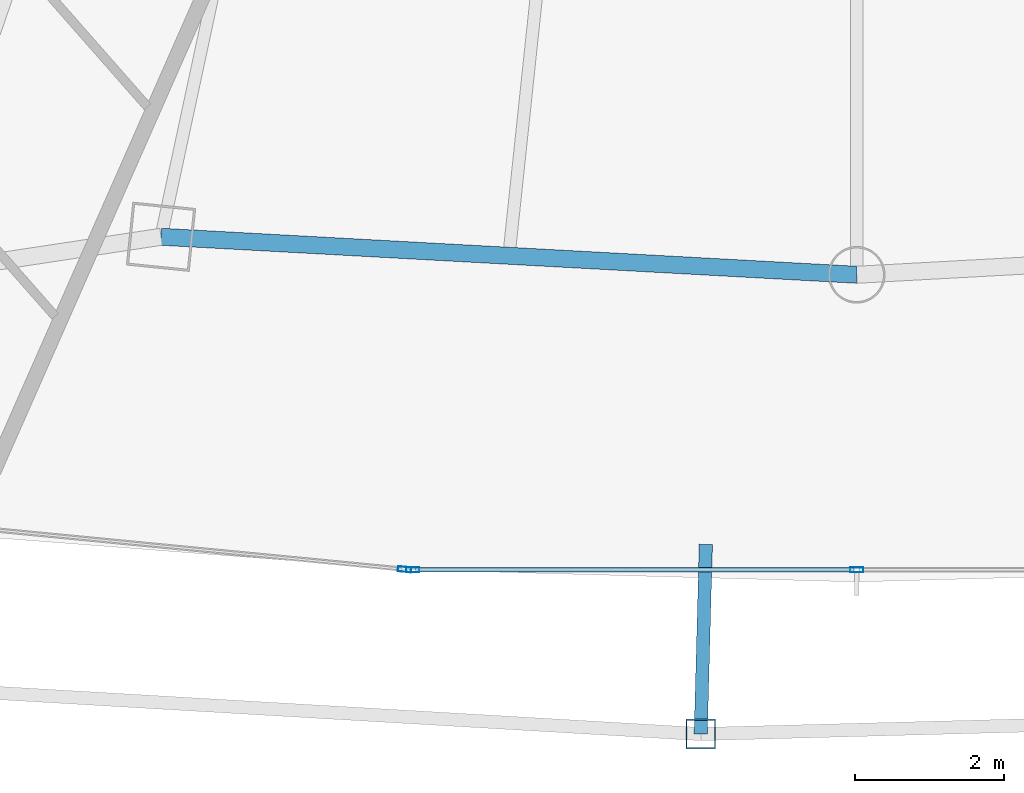
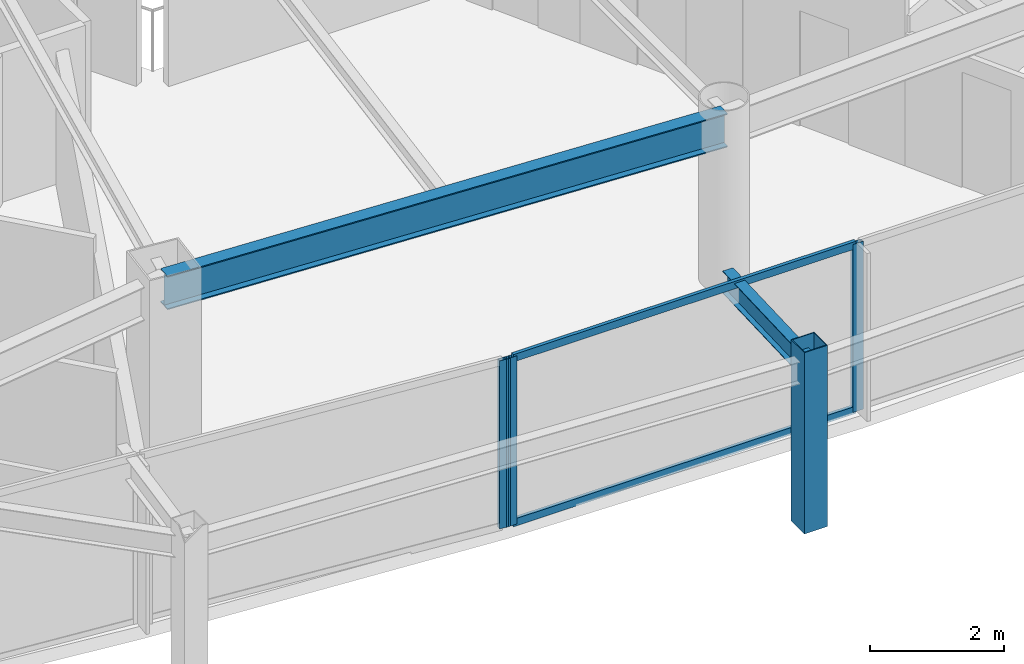
# One storey, part 7 of 31: 6 members, 2 beams, 2 elements without a shape of their own.
"""IFC4 building model written with IfcOpenShell, lengths in metres."""

from ifc_helpers import new_model, si_unit, direction, frame, origin, origin_2d, place, context, subcontext, project, spatial, hollow_rectangle, i_section, extrude, material, layer, layer_set, material_profile, profile_set, type_object, element, aggregate, save


model = new_model("IFC4")

# Units and contexts
model_context = context("Model", 3, precision=1e-05, world=origin(), true_north=direction((0.0, 1.0)))
body_context = subcontext(model_context, "Body", "Model", "MODEL_VIEW")
ifc_project = project(units=[si_unit("LENGTHUNIT", "METRE"), si_unit("AREAUNIT", "SQUARE_METRE"), si_unit("VOLUMEUNIT", "CUBIC_METRE"), si_unit("PLANEANGLEUNIT", "RADIAN"), si_unit("MASSUNIT", "GRAM", prefix="KILO")], contexts=[model_context])

# Site, building, storey
site_placement = place(None, origin())
site = spatial("IfcSite", under=ifc_project, at=site_placement, CompositionType="ELEMENT")
building_placement = place(site_placement, origin())
building = spatial("IfcBuilding", under=site, at=building_placement, Name="Orvanel Arch Residences", CompositionType="ELEMENT")
storey_placement = place(building_placement, frame((0.0, 0.0, 106.699951171875)))
storey = spatial("IfcBuildingStorey", under=building, at=storey_placement, Name="L29", CompositionType="ELEMENT", Elevation=106.699951171875)

# Curtain wall, member
ifc_material_1 = material(Name="Bronze-anodised aluminium AA6063-T6", Category="aluminium")
ifc_layer = layer(ifc_material_1, 0.179931640625)
ifc_layer_set = layer_set([ifc_layer], Name="Bronze-anodised aluminium AA6063-T6")
curtain_wall_type = type_object("IfcCurtainWallType", Name="CW3-MID-SYS", PredefinedType="NOTDEFINED", material=ifc_layer_set)
curtain_wall_1_placement = place(storey_placement, origin())
curtain_wall_1 = element("IfcCurtainWall", 1, at=curtain_wall_1_placement, inside=storey, type_object=curtain_wall_type, Name="L29 CW3-MID-SYS Unitised Curtain Wall", PredefinedType="NOTDEFINED")
ifc_material_profile_1 = material_profile(ifc_material_1, hollow_rectangle(XDim=0.070068359375, YDim=0.179931640625, WallThickness=0.00439453125, at=origin_2d()), Name="ALU180x70x4.5")
ifc_profile_set_1 = profile_set([ifc_material_profile_1], Name="Bronze-anodised aluminium AA6063-T6")
member_type_1 = type_object("IfcMemberType", Name="MUL-180x70", PredefinedType="MULLION", material=ifc_profile_set_1)
member_1_placement = place(storey_placement, frame((26.922119140625, 2.88427734375, 0.0), z_axis=(0.0, 0.0, 1.0), x_axis=(0.095998315385, 0.995381496434, 0.0)))
member_1 = element("IfcMember", 2, at=member_1_placement, type_object=member_type_1, Name="CW-S3 mullion 3", PredefinedType="MULLION", context=body_context, shape_type="SweptSolid", body=[
    extrude(hollow_rectangle(XDim=0.070068359375, YDim=0.179931640625, WallThickness=0.00439453125, at=origin_2d()), origin(), (0.0, 0.0, 1.0), 3.06005859375),
])
aggregate(curtain_wall_1, [member_1])

# Curtain wall, members
curtain_wall_2_placement = place(storey_placement, origin())
curtain_wall_2 = element("IfcCurtainWall", 3, at=curtain_wall_2_placement, inside=storey, type_object=curtain_wall_type, Name="L29 CW3-MID-SYS Unitised Curtain Wall", PredefinedType="NOTDEFINED")
member_2_placement = place(storey_placement, frame((27.031982421875, 2.87890625, 0.0), z_axis=(0.0, 0.0, 1.0), x_axis=(0.0, 1.0, 0.0)))
member_2 = element("IfcMember", 4, at=member_2_placement, type_object=member_type_1, Name="CW-S3 mullion 1", PredefinedType="MULLION", context=body_context, shape_type="SweptSolid", body=[
    extrude(hollow_rectangle(XDim=0.070068359375, YDim=0.179931640625, WallThickness=0.00439453125, at=origin_2d()), origin(), (0.0, 0.0, 1.0), 3.06005859375),
])
member_3_placement = place(storey_placement, frame((33.0, 2.87890625, 0.0), z_axis=(0.0, 0.0, 1.0), x_axis=(0.0, 1.0, 0.0)))
member_3 = element("IfcMember", 5, at=member_3_placement, type_object=member_type_1, Name="CW-S3 mullion 2", PredefinedType="MULLION", context=body_context, shape_type="SweptSolid", body=[
    extrude(hollow_rectangle(XDim=0.070068359375, YDim=0.179931640625, WallThickness=0.00439453125, at=origin_2d()), origin(), (0.0, 0.0, 1.0), 3.06005859375),
])

# Beams
ifc_material_2 = material(Name="Structural steel AS/NZS 3679.1 Grade 300 (300 MPa)", Category="steel")
ifc_material_profile_2 = material_profile(ifc_material_2, i_section(OverallWidth=0.177978515625, OverallDepth=0.406005859375, WebThickness=0.0078125, FlangeThickness=0.0126953125, at=origin_2d()), Name="410UB59.7")
ifc_profile_set_2 = profile_set([ifc_material_profile_2], Name="Structural steel AS/NZS 3679.1 Grade 300 (300 MPa)")
beam_type_1 = type_object("IfcBeamType", Name="OB-410UB-EXT", PredefinedType="SPANDREL", material=ifc_profile_set_2)
beam_1_placement = place(storey_placement, frame((30.971923828125, 3.219970703125, 2.85693359375), z_axis=(-0.026999061336, -0.999635458898, 0.0), x_axis=(0.999635458898, -0.026999061336, 0.0)))
element("IfcBeam", 6, at=beam_1_placement, inside=storey, type_object=beam_type_1, Name="L29 Outer Frame Radial Tie Beam 06", PredefinedType="SPANDREL", context=body_context, shape_type="SweptSolid", body=[
    extrude(i_section(OverallWidth=0.177978515625, OverallDepth=0.406005859375, WebThickness=0.0078125, FlangeThickness=0.0126953125, at=origin_2d()), origin(), (0.0, 0.0, 1.0), 2.550048828125),
])
ifc_material_profile_3 = material_profile(ifc_material_2, i_section(OverallWidth=0.22900390625, OverallDepth=0.612060546875, WebThickness=0.011962890625, FlangeThickness=0.01953125, at=origin_2d()), Name="610UB125")
ifc_profile_set_3 = profile_set([ifc_material_profile_3], Name="Structural steel AS/NZS 3679.1 Grade 300 (300 MPa)")
beam_type_2 = type_object("IfcBeamType", Name="SP-610UB", PredefinedType="SPANDREL", material=ifc_profile_set_3)
beam_2_placement = place(storey_placement, frame((23.64892578125, 7.35498046875, 2.754150390625), z_axis=(0.998510315598, -0.054563262768, 0.0), x_axis=(0.054563262768, 0.998510315598, 0.0)))
element("IfcBeam", 7, at=beam_2_placement, inside=storey, type_object=beam_type_2, Name="L29 Perimeter Spandrel Beam 05", PredefinedType="SPANDREL", context=body_context, shape_type="SweptSolid", body=[
    extrude(i_section(OverallWidth=0.22900390625, OverallDepth=0.612060546875, WebThickness=0.011962890625, FlangeThickness=0.01953125, at=origin_2d()), origin(), (0.0, 0.0, 1.0), 9.364990234375),
])

# Member
ifc_material_3 = material(Name="Structural steel AS/NZS 1163 C450L0 (Grade 450)", Category="steel")
ifc_material_profile_4 = material_profile(ifc_material_3, hollow_rectangle(XDim=0.39990234375, YDim=0.39990234375, WallThickness=0.01611328125, at=origin_2d()), Name="SHS400x400x16")
ifc_profile_set_4 = profile_set([ifc_material_profile_4], Name="Structural steel AS/NZS 1163 C450L0 (Grade 450)")
member_type_2 = type_object("IfcMemberType", Name="ST-400SHS-EXT", PredefinedType="STRUT", material=ifc_profile_set_4)
member_4_placement = place(storey_placement, frame((30.903076171875, 0.6708984375, 0.0), z_axis=(0.0, 0.0, 1.0), x_axis=(1.0, 0.0, 0.0)))
element("IfcMember", 8, at=member_4_placement, inside=storey, type_object=member_type_2, Name="L29 Outer Perimeter Frame Post 06", PredefinedType="STRUT", context=body_context, shape_type="SweptSolid", body=[
    extrude(hollow_rectangle(XDim=0.39990234375, YDim=0.39990234375, WallThickness=0.01611328125, at=origin_2d()), origin(), (0.0, 0.0, 1.0), 3.300048828125),
])

ifc_material_profile_5 = material_profile(ifc_material_1, hollow_rectangle(XDim=0.06005859375, YDim=0.135009765625, WallThickness=0.00390625, at=origin_2d()), Name="ALU135x60x4")
ifc_profile_set_5 = profile_set([ifc_material_profile_5], Name="Bronze-anodised aluminium AA6063-T6")
member_type_3 = type_object("IfcMemberType", Name="TRN-135x60", PredefinedType="USERDEFINED", material=ifc_profile_set_5)
member_5_placement = place(storey_placement, frame((27.06689453125, 2.87890625, 0.030029296875), z_axis=(1.0, 0.0, 0.0), x_axis=(0.0, 1.0, 0.0)))
member_5 = element("IfcMember", 9, at=member_5_placement, type_object=member_type_3, Name="CW-S3 transom 1.1", ObjectType="TRANSOM", PredefinedType="USERDEFINED", context=body_context, shape_type="SweptSolid", body=[
    extrude(hollow_rectangle(XDim=0.06005859375, YDim=0.135009765625, WallThickness=0.00390625, at=origin_2d()), origin(), (0.0, 0.0, 1.0), 5.898193359375),
])

member_6_placement = place(storey_placement, frame((27.06689453125, 2.87890625, 3.030029296875), z_axis=(1.0, 0.0, 0.0), x_axis=(0.0, 1.0, 0.0)))
member_6 = element("IfcMember", 10, at=member_6_placement, type_object=member_type_3, Name="CW-S3 transom 1.2", ObjectType="TRANSOM", PredefinedType="USERDEFINED", context=body_context, shape_type="SweptSolid", body=[
    extrude(hollow_rectangle(XDim=0.06005859375, YDim=0.135009765625, WallThickness=0.00390625, at=origin_2d()), origin(), (0.0, 0.0, 1.0), 5.898193359375),
])

aggregate(curtain_wall_2, [member_2, member_3, member_5, member_6])

save(model, "model.ifc")
